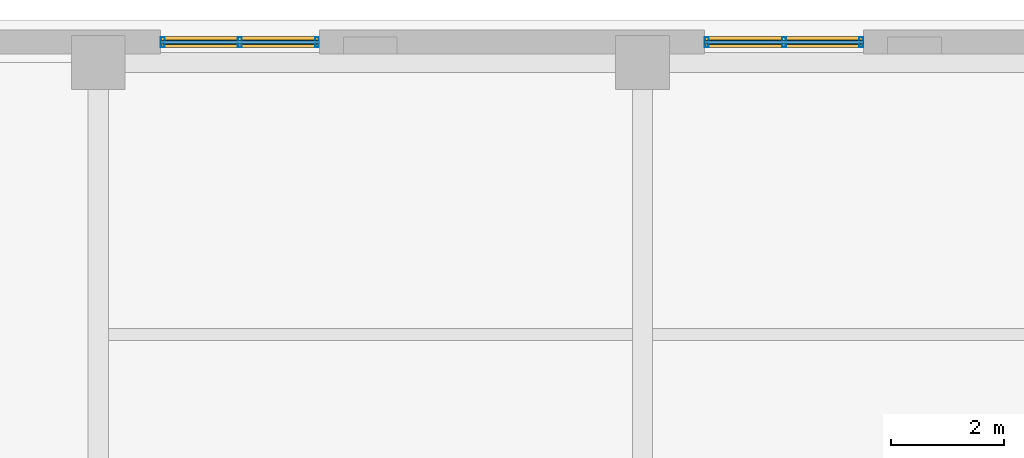
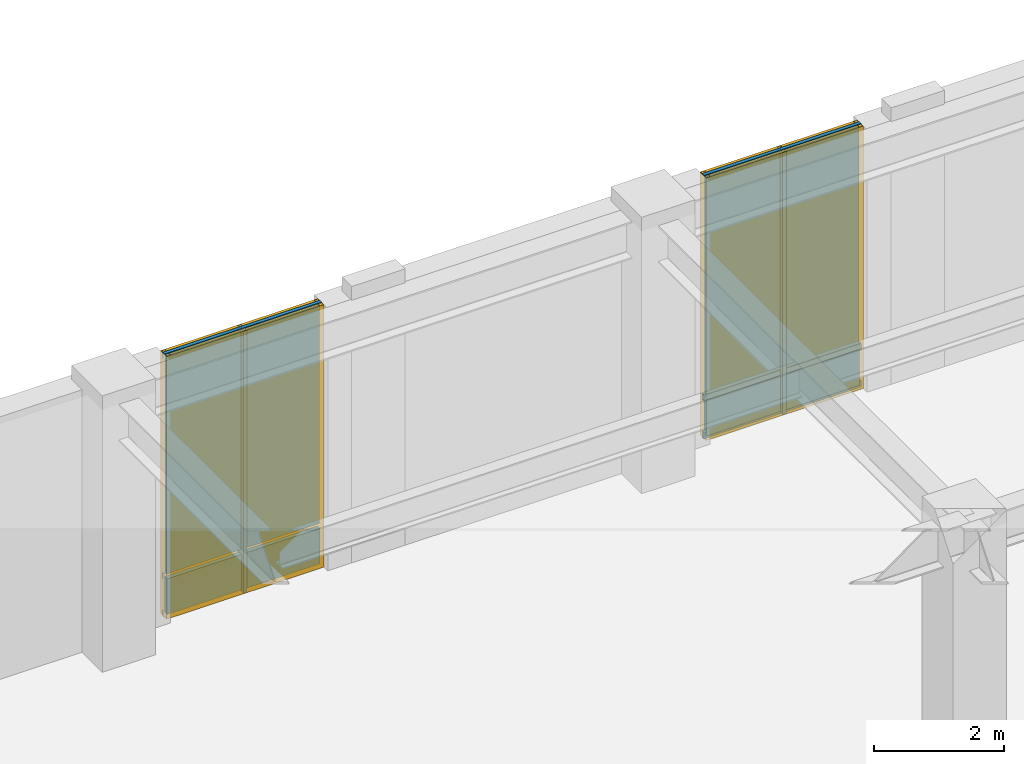
# One storey, part 13 of 18: 12 members, 8 plates, 2 curtain walls.
"""IFC4 building model written with IfcOpenShell, lengths in metres."""

from ifc_helpers import new_model, si_unit, direction, frame, frame_2d, origin, origin_2d, place, context, subcontext, project, spatial, rectangle, hollow_rectangle, extrude, material, layer, layer_set, material_profile, profile_set, type_object, element, aggregate, save


model = new_model("IFC4")

# Units and contexts
model_context = context("Model", 3, precision=1e-05, world=origin(), true_north=direction((0.0, 1.0)))
body_context = subcontext(model_context, "Body", "Model", "MODEL_VIEW")
ifc_project = project(units=[si_unit("LENGTHUNIT", "METRE"), si_unit("AREAUNIT", "SQUARE_METRE"), si_unit("VOLUMEUNIT", "CUBIC_METRE"), si_unit("PLANEANGLEUNIT", "RADIAN"), si_unit("MASSUNIT", "GRAM", prefix="KILO")], contexts=[model_context])

# Member
ifc_material_1 = material(Name="Anodized Aluminium 6063-T6", Category="aluminium")
ifc_material_profile_1 = material_profile(ifc_material_1, hollow_rectangle(XDim=0.070068359375, YDim=0.179931640625, WallThickness=0.00390625, at=origin_2d()), Name="Anodized Aluminium 6063-T6")
ifc_profile_set_1 = profile_set([ifc_material_profile_1], Name="Anodized Aluminium 6063-T6")
member_type_1 = type_object("IfcMemberType", Name="Curtain Wall Mullion 180", PredefinedType="MULLION", material=ifc_profile_set_1)
site_placement = place(None, origin())
building_placement = place(site_placement, origin())
storey_placement = place(building_placement, frame((0.0, 0.0, 150.800048828125)))
member_1_placement = place(storey_placement, frame((23.06005859375, 66.81005859375, 0.0), z_axis=(0.0, 0.0, 1.0), x_axis=(-1.0, 0.0, 0.0)))
member_1 = element("IfcMember", 1, at=member_1_placement, type_object=member_type_1, Name="Curtain Wall Mullion CW-L38-E11-1-M01", PredefinedType="MULLION", context=body_context, shape_type="SweptSolid", body=[
    extrude(hollow_rectangle(XDim=0.070068359375, YDim=0.179931640625, WallThickness=0.00390625, at=origin_2d()), origin(), (0.0, 0.0, 1.0), 4.93994140625),
])

member_2_placement = place(storey_placement, frame((21.699951171875, 66.81005859375, 0.0), z_axis=(0.0, 0.0, 1.0), x_axis=(-1.0, 0.0, 0.0)))
member_2 = element("IfcMember", 2, at=member_2_placement, type_object=member_type_1, Name="Curtain Wall Mullion CW-L38-E11-1-M02", PredefinedType="MULLION", context=body_context, shape_type="SweptSolid", body=[
    extrude(hollow_rectangle(XDim=0.070068359375, YDim=0.179931640625, WallThickness=0.00390625, at=origin_2d()), origin(), (0.0, 0.0, 1.0), 4.93994140625),
])

member_3_placement = place(storey_placement, frame((20.340087890625, 66.81005859375, 0.0), z_axis=(0.0, 0.0, 1.0), x_axis=(-1.0, 0.0, 0.0)))
member_3 = element("IfcMember", 3, at=member_3_placement, type_object=member_type_1, Name="Curtain Wall Mullion CW-L38-E11-1-M03", PredefinedType="MULLION", context=body_context, shape_type="SweptSolid", body=[
    extrude(hollow_rectangle(XDim=0.070068359375, YDim=0.179931640625, WallThickness=0.00390625, at=origin_2d()), origin(), (0.0, 0.0, 1.0), 4.93994140625),
])

member_4_placement = place(storey_placement, frame((13.4599609375, 66.81005859375, 0.0), z_axis=(0.0, 0.0, 1.0), x_axis=(-1.0, 0.0, 0.0)))
member_4 = element("IfcMember", 4, at=member_4_placement, type_object=member_type_1, Name="Curtain Wall Mullion CW-L38-E11-2-M01", PredefinedType="MULLION", context=body_context, shape_type="SweptSolid", body=[
    extrude(hollow_rectangle(XDim=0.070068359375, YDim=0.179931640625, WallThickness=0.00390625, at=origin_2d()), origin(), (0.0, 0.0, 1.0), 4.93994140625),
])

member_5_placement = place(storey_placement, frame((12.10009765625, 66.81005859375, 0.0), z_axis=(0.0, 0.0, 1.0), x_axis=(-1.0, 0.0, 0.0)))
member_5 = element("IfcMember", 5, at=member_5_placement, type_object=member_type_1, Name="Curtain Wall Mullion CW-L38-E11-2-M02", PredefinedType="MULLION", context=body_context, shape_type="SweptSolid", body=[
    extrude(hollow_rectangle(XDim=0.070068359375, YDim=0.179931640625, WallThickness=0.00390625, at=origin_2d()), origin(), (0.0, 0.0, 1.0), 4.93994140625),
])

member_6_placement = place(storey_placement, frame((10.739990234375, 66.81005859375, 0.0), z_axis=(0.0, 0.0, 1.0), x_axis=(-1.0, 0.0, 0.0)))
member_6 = element("IfcMember", 6, at=member_6_placement, type_object=member_type_1, Name="Curtain Wall Mullion CW-L38-E11-2-M03", PredefinedType="MULLION", context=body_context, shape_type="SweptSolid", body=[
    extrude(hollow_rectangle(XDim=0.070068359375, YDim=0.179931640625, WallThickness=0.00390625, at=origin_2d()), origin(), (0.0, 0.0, 1.0), 4.93994140625),
])

ifc_material_profile_2 = material_profile(ifc_material_1, hollow_rectangle(XDim=0.06005859375, YDim=0.1201171875, WallThickness=0.00341796875, at=origin_2d()), Name="Anodized Aluminium 6063-T6")
ifc_profile_set_2 = profile_set([ifc_material_profile_2], Name="Anodized Aluminium 6063-T6")
member_type_2 = type_object("IfcMemberType", Name="Curtain Wall Transom 120", PredefinedType="USERDEFINED", material=ifc_profile_set_2)
member_7_placement = place(storey_placement, frame((23.10009765625, 66.81005859375, 0.050048828125), z_axis=(-1.0, 0.0, 0.0), x_axis=(0.0, -1.0, 0.0)))
member_7 = element("IfcMember", 7, at=member_7_placement, type_object=member_type_2, Name="Curtain Wall Transom CW-L38-E11-1-T01", ObjectType="TRANSOM", PredefinedType="USERDEFINED", context=body_context, shape_type="SweptSolid", body=[
    extrude(hollow_rectangle(XDim=0.06005859375, YDim=0.1201171875, WallThickness=0.00341796875, at=origin_2d()), origin(), (0.0, 0.0, 1.0), 2.800048828125),
])

member_8_placement = place(storey_placement, frame((23.10009765625, 66.81005859375, 0.75), z_axis=(-1.0, 0.0, 0.0), x_axis=(0.0, -1.0, 0.0)))
member_8 = element("IfcMember", 8, at=member_8_placement, type_object=member_type_2, Name="Curtain Wall Transom CW-L38-E11-1-T02", ObjectType="TRANSOM", PredefinedType="USERDEFINED", context=body_context, shape_type="SweptSolid", body=[
    extrude(hollow_rectangle(XDim=0.06005859375, YDim=0.1201171875, WallThickness=0.00341796875, at=origin_2d()), origin(), (0.0, 0.0, 1.0), 2.800048828125),
])

member_9_placement = place(storey_placement, frame((23.10009765625, 66.81005859375, 4.889892578125), z_axis=(-1.0, 0.0, 0.0), x_axis=(0.0, -1.0, 0.0)))
member_9 = element("IfcMember", 9, at=member_9_placement, type_object=member_type_2, Name="Curtain Wall Transom CW-L38-E11-1-T03", ObjectType="TRANSOM", PredefinedType="USERDEFINED", context=body_context, shape_type="SweptSolid", body=[
    extrude(hollow_rectangle(XDim=0.06005859375, YDim=0.1201171875, WallThickness=0.00341796875, at=origin_2d()), origin(), (0.0, 0.0, 1.0), 2.800048828125),
])

member_10_placement = place(storey_placement, frame((13.5, 66.81005859375, 0.050048828125), z_axis=(-1.0, 0.0, 0.0), x_axis=(0.0, -1.0, 0.0)))
member_10 = element("IfcMember", 10, at=member_10_placement, type_object=member_type_2, Name="Curtain Wall Transom CW-L38-E11-2-T01", ObjectType="TRANSOM", PredefinedType="USERDEFINED", context=body_context, shape_type="SweptSolid", body=[
    extrude(hollow_rectangle(XDim=0.06005859375, YDim=0.1201171875, WallThickness=0.00341796875, at=origin_2d()), origin(), (0.0, 0.0, 1.0), 2.800048828125),
])

member_11_placement = place(storey_placement, frame((13.5, 66.81005859375, 0.75), z_axis=(-1.0, 0.0, 0.0), x_axis=(0.0, -1.0, 0.0)))
member_11 = element("IfcMember", 11, at=member_11_placement, type_object=member_type_2, Name="Curtain Wall Transom CW-L38-E11-2-T02", ObjectType="TRANSOM", PredefinedType="USERDEFINED", context=body_context, shape_type="SweptSolid", body=[
    extrude(hollow_rectangle(XDim=0.06005859375, YDim=0.1201171875, WallThickness=0.00341796875, at=origin_2d()), origin(), (0.0, 0.0, 1.0), 2.800048828125),
])

member_12_placement = place(storey_placement, frame((13.5, 66.81005859375, 4.889892578125), z_axis=(-1.0, 0.0, 0.0), x_axis=(0.0, -1.0, 0.0)))
member_12 = element("IfcMember", 12, at=member_12_placement, type_object=member_type_2, Name="Curtain Wall Transom CW-L38-E11-2-T03", ObjectType="TRANSOM", PredefinedType="USERDEFINED", context=body_context, shape_type="SweptSolid", body=[
    extrude(hollow_rectangle(XDim=0.06005859375, YDim=0.1201171875, WallThickness=0.00341796875, at=origin_2d()), origin(), (0.0, 0.0, 1.0), 2.800048828125),
])

# Plate
ifc_material_2 = material(Name="Triple Low-E Argon Glazing", Category="glass")
ifc_layer_1 = layer(ifc_material_2, 0.0439453125, Name="Triple Low-E Argon Glazing")
ifc_layer_set_1 = layer_set([ifc_layer_1], Name="Triple Low-E Argon Glazing")
plate_type_1 = type_object("IfcPlateType", Name="Plate CWGlazing 44", PredefinedType="CURTAIN_PANEL", material=ifc_layer_set_1)
plate_1_placement = place(storey_placement, frame((22.39990234375, 66.81005859375, 0.7900390625), z_axis=(0.0, 0.0, 1.0), x_axis=(-1.0, 0.0, 0.0)))
plate_1 = element("IfcPlate", 13, at=plate_1_placement, type_object=plate_type_1, Name="Vision Glazing Panel CW-L38-E11-1-GL01", PredefinedType="CURTAIN_PANEL", context=body_context, shape_type="SweptSolid", body=[
    extrude(rectangle(XDim=1.320068359375, YDim=0.0439453125, at=origin_2d()), origin(), (0.0, 0.0, 1.0), 4.110107421875),
])

plate_2_placement = place(storey_placement, frame((21.0, 66.81005859375, 0.7900390625), z_axis=(0.0, 0.0, 1.0), x_axis=(-1.0, 0.0, 0.0)))
plate_2 = element("IfcPlate", 14, at=plate_2_placement, type_object=plate_type_1, Name="Vision Glazing Panel CW-L38-E11-1-GL02", PredefinedType="CURTAIN_PANEL", context=body_context, shape_type="SweptSolid", body=[
    extrude(rectangle(XDim=1.320068359375, YDim=0.0439453125, at=origin_2d()), origin(), (0.0, 0.0, 1.0), 4.110107421875),
])

plate_3_placement = place(storey_placement, frame((12.800048828125, 66.81005859375, 0.7900390625), z_axis=(0.0, 0.0, 1.0), x_axis=(-1.0, 0.0, 0.0)))
plate_3 = element("IfcPlate", 15, at=plate_3_placement, type_object=plate_type_1, Name="Vision Glazing Panel CW-L38-E11-2-GL01", PredefinedType="CURTAIN_PANEL", context=body_context, shape_type="SweptSolid", body=[
    extrude(rectangle(XDim=1.320068359375, YDim=0.0439453125, at=origin_2d()), origin(), (0.0, 0.0, 1.0), 4.110107421875),
])

plate_4_placement = place(storey_placement, frame((11.39990234375, 66.81005859375, 0.7900390625), z_axis=(0.0, 0.0, 1.0), x_axis=(-1.0, 0.0, 0.0)))
plate_4 = element("IfcPlate", 16, at=plate_4_placement, type_object=plate_type_1, Name="Vision Glazing Panel CW-L38-E11-2-GL02", PredefinedType="CURTAIN_PANEL", context=body_context, shape_type="SweptSolid", body=[
    extrude(rectangle(XDim=1.320068359375, YDim=0.0439453125, at=origin_2d()), origin(), (0.0, 0.0, 1.0), 4.110107421875),
])

ifc_material_3 = material(Name="Insulated Aluminium Spandrel Panel", Category="aluminium")
ifc_layer_2 = layer(ifc_material_3, 0.080078125, Name="Insulated Aluminium Spandrel Panel")
ifc_layer_set_2 = layer_set([ifc_layer_2], Name="Insulated Aluminium Spandrel Panel")
plate_type_2 = type_object("IfcPlateType", Name="Plate CWSpandrel 80", PredefinedType="SHEET", material=ifc_layer_set_2)
plate_5_placement = place(storey_placement, frame((22.39990234375, 66.81005859375, 0.0400390625), z_axis=(0.0, 0.0, 1.0), x_axis=(-1.0, 0.0, 0.0)))
plate_5 = element("IfcPlate", 17, at=plate_5_placement, type_object=plate_type_2, Name="Spandrel Panel CW-L38-E11-1-SP01", PredefinedType="SHEET", context=body_context, shape_type="SweptSolid", body=[
    extrude(rectangle(XDim=1.320068359375, YDim=0.080078125, at=origin_2d()), origin(), (0.0, 0.0, 1.0), 0.669921875),
])

plate_6_placement = place(storey_placement, frame((21.0, 66.81005859375, 0.0400390625), z_axis=(0.0, 0.0, 1.0), x_axis=(-1.0, 0.0, 0.0)))
plate_6 = element("IfcPlate", 18, at=plate_6_placement, type_object=plate_type_2, Name="Spandrel Panel CW-L38-E11-1-SP02", PredefinedType="SHEET", context=body_context, shape_type="SweptSolid", body=[
    extrude(rectangle(XDim=1.320068359375, YDim=0.080078125, at=origin_2d()), origin(), (0.0, 0.0, 1.0), 0.669921875),
])

plate_7_placement = place(storey_placement, frame((12.800048828125, 66.81005859375, 0.0400390625), z_axis=(0.0, 0.0, 1.0), x_axis=(-1.0, 0.0, 0.0)))
plate_7 = element("IfcPlate", 19, at=plate_7_placement, type_object=plate_type_2, Name="Spandrel Panel CW-L38-E11-2-SP01", PredefinedType="SHEET", context=body_context, shape_type="SweptSolid", body=[
    extrude(rectangle(XDim=1.320068359375, YDim=0.080078125, at=origin_2d()), origin(), (0.0, 0.0, 1.0), 0.669921875),
])

plate_8_placement = place(storey_placement, frame((11.39990234375, 66.81005859375, 0.0400390625), z_axis=(0.0, 0.0, 1.0), x_axis=(-1.0, 0.0, 0.0)))
plate_8 = element("IfcPlate", 20, at=plate_8_placement, type_object=plate_type_2, Name="Spandrel Panel CW-L38-E11-2-SP02", PredefinedType="SHEET", context=body_context, shape_type="SweptSolid", body=[
    extrude(rectangle(XDim=1.320068359375, YDim=0.080078125, at=origin_2d()), origin(), (0.0, 0.0, 1.0), 0.669921875),
])

# Site, building, storey
site = spatial("IfcSite", under=ifc_project, at=site_placement, CompositionType="ELEMENT")
building = spatial("IfcBuilding", under=site, at=building_placement, Name="Norrvale University Quadrangle", CompositionType="ELEMENT")
storey = spatial("IfcBuildingStorey", under=building, at=storey_placement, Name="L38", CompositionType="ELEMENT", Elevation=150.800048828125)

# Curtain wall
ifc_material_4 = material(Name="Anodized Aluminium and Triple Glazing", Category="glass")
curtain_wall_type = type_object("IfcCurtainWallType", Name="Curtain Wall System 3 Sky Lobby", PredefinedType="NOTDEFINED", material=ifc_material_4)
curtain_wall_1_placement = place(storey_placement, frame((23.10009765625, 66.81005859375, 0.0), z_axis=(0.0, 0.0, 1.0), x_axis=(-1.0, 0.0, 0.0)))
curtain_wall_1 = element("IfcCurtainWall", 21, at=curtain_wall_1_placement, inside=storey, type_object=curtain_wall_type, Name="Curtain Wall CW System 3 Sky Lobby CW-L38-E11-1", PredefinedType="NOTDEFINED", context=body_context, shape_type="SweptSolid", body=[
    extrude(rectangle(XDim=2.800048828125, YDim=0.18994140625, at=frame_2d((1.39990234375, 0.0))), origin(), (0.0, 0.0, 1.0), 4.93994140625),
])

aggregate(curtain_wall_1, [member_1, member_2, member_3, member_7, member_8, member_9, plate_5, plate_1, plate_6, plate_2])

curtain_wall_2_placement = place(storey_placement, frame((13.5, 66.81005859375, 0.0), z_axis=(0.0, 0.0, 1.0), x_axis=(-1.0, 0.0, 0.0)))
curtain_wall_2 = element("IfcCurtainWall", 22, at=curtain_wall_2_placement, inside=storey, type_object=curtain_wall_type, Name="Curtain Wall CW System 3 Sky Lobby CW-L38-E11-2", PredefinedType="NOTDEFINED", context=body_context, shape_type="SweptSolid", body=[
    extrude(rectangle(XDim=2.800048828125, YDim=0.18994140625, at=frame_2d((1.39990234375, 0.0))), origin(), (0.0, 0.0, 1.0), 4.93994140625),
])

aggregate(curtain_wall_2, [member_4, member_5, member_6, member_10, member_11, member_12, plate_7, plate_3, plate_8, plate_4])

save(model, "model.ifc")
